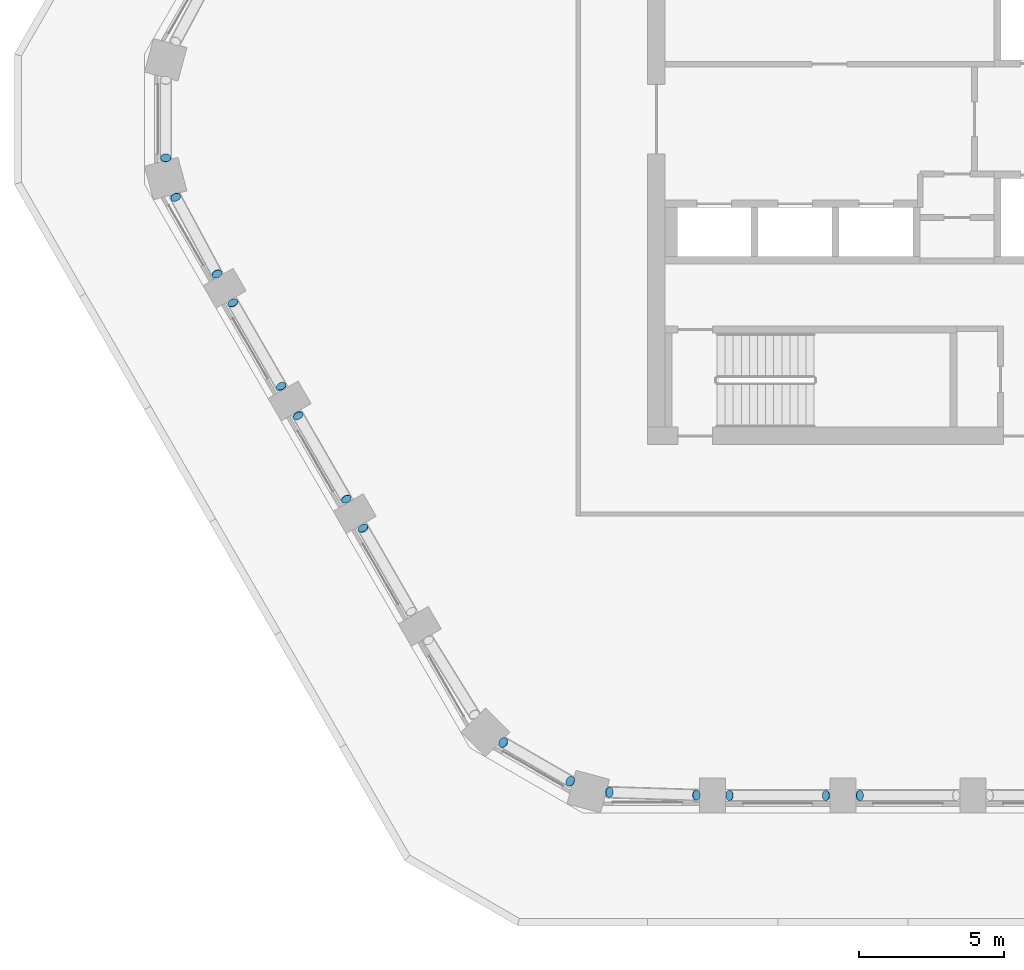
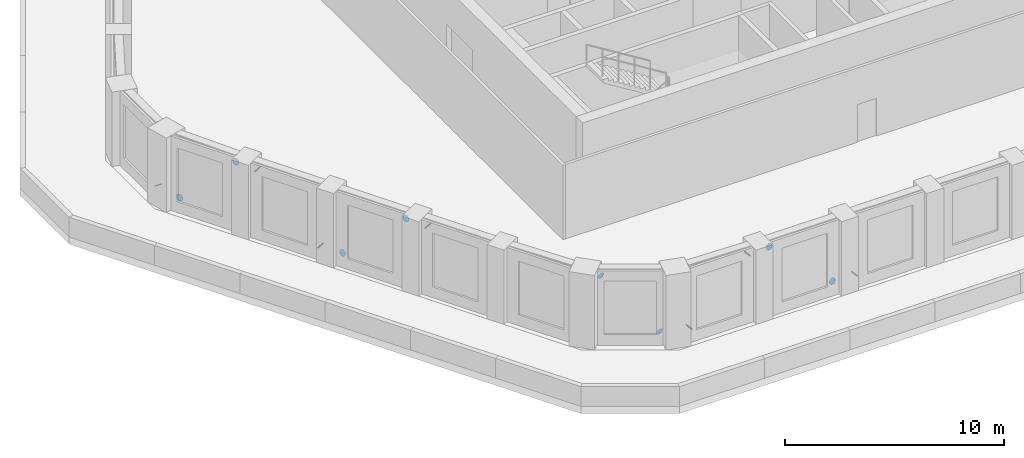
# One storey, part 9 of 14: 15 discrete accessories.
"""IFC4 building model written with IfcOpenShell, lengths in metres."""

import ifcopenshell
import ifcopenshell.guid

model = None  # the IFC model being written
_history = None  # IfcOwnerHistory: only IFC2X3 demands one
_inside = {}  # id of a spatial element -> (the spatial element, [elements in it])
_under = {}  # id of a project, library or spatial element -> (it, [spatial elements below it])
_declared = {}  # id of a project -> (the project, [libraries it declares])
_typed = {}  # id of a type object -> (the type object, [elements of that type])
_made_of = {}  # id of a material, layer set ... -> (it, [elements and type objects made of it])


def new_model(schema):
    """Start an empty IFC model of exactly this schema.

    Asked for "IFC4X3", IfcOpenShell would pick the latest addendum, in which some entities
    have other attributes; the version numbers below select the first issue.
    IFC2X3 requires an IfcOwnerHistory on every rooted entity: one is made here for all.
    """
    global model, _history
    if schema == "IFC4X3":
        model = ifcopenshell.file(schema_version=(4, 3, 0, 0))
    else:
        model = ifcopenshell.file(schema=schema)
    _inside.clear()
    _under.clear()
    _declared.clear()
    _typed.clear()
    _made_of.clear()
    _history = None
    if model.schema == "IFC2X3":
        org = make("IfcOrganization", Name="unknown")
        user = make(
            "IfcPersonAndOrganization",
            ThePerson=make("IfcPerson", FamilyName="unknown"),
            TheOrganization=org,
        )
        app = make(
            "IfcApplication",
            ApplicationDeveloper=org,
            Version="unknown",
            ApplicationFullName="unknown",
            ApplicationIdentifier="unknown",
        )
        _history = make(
            "IfcOwnerHistory",
            OwningUser=user,
            OwningApplication=app,
            ChangeAction="ADDED",
            CreationDate=0,
        )
    return model


def make(cls, **values):
    """One entity of the class cls with the attributes given. An attribute that is None is left unset."""
    return model.create_entity(
        cls, **{name: value for name, value in values.items() if value is not None}
    )


def rooted(cls, **values):
    """An entity with a GlobalId (a new one), such as an element, a storey or a relation."""
    return make(cls, GlobalId=ifcopenshell.guid.new(), OwnerHistory=_history, **values)


def si_unit(unit_type, name, prefix=None):
    """IfcSIUnit, for example si_unit("LENGTHUNIT", "METRE", prefix="MILLI")."""
    return make("IfcSIUnit", UnitType=unit_type, Prefix=prefix, Name=name)


def assignment(units):
    """IfcUnitAssignment: the units of a project."""
    return None if units is None else make("IfcUnitAssignment", Units=units)


def point(xyz):
    """IfcCartesianPoint."""
    return None if xyz is None else make("IfcCartesianPoint", Coordinates=xyz)


def direction(xyz):
    """IfcDirection."""
    return None if xyz is None else make("IfcDirection", DirectionRatios=xyz)


def frame(location, z_axis=None, x_axis=None):
    """IfcAxis2Placement3D, a coordinate frame: its origin and axes. An axis left out is left unset."""
    return make(
        "IfcAxis2Placement3D",
        Location=point(location),
        Axis=direction(z_axis),
        RefDirection=direction(x_axis),
    )


def frame_2d(location, x_axis=None):
    """IfcAxis2Placement2D, a coordinate frame in the plane: its origin and x axis."""
    return make(
        "IfcAxis2Placement2D", Location=point(location), RefDirection=direction(x_axis)
    )


def origin():
    """The frame at (0, 0, 0) with its axes left unset."""
    return frame((0.0, 0.0, 0.0))


def origin_2d():
    """The frame at (0, 0) in the plane with its x axis left unset."""
    return frame_2d((0.0, 0.0))


def place(relative_to, where):
    """IfcLocalPlacement: puts the frame where relative to a parent placement (None: the world)."""
    return make(
        "IfcLocalPlacement", PlacementRelTo=relative_to, RelativePlacement=where
    )


def context(
    kind, dimensions, precision=None, world=None, true_north=None, identifier=None
):
    """IfcGeometricRepresentationContext, for example the 3D "Model" context."""
    return make(
        "IfcGeometricRepresentationContext",
        ContextIdentifier=identifier,
        ContextType=kind,
        CoordinateSpaceDimension=dimensions,
        Precision=precision,
        WorldCoordinateSystem=world,
        TrueNorth=true_north,
    )


def subcontext(parent, identifier, kind, view, scale=None):
    """IfcGeometricRepresentationSubContext, for example "Body" below "Model"."""
    return make(
        "IfcGeometricRepresentationSubContext",
        ContextIdentifier=identifier,
        ContextType=kind,
        ParentContext=parent,
        TargetScale=scale,
        TargetView=view,
    )


def project(units=None, contexts=None):
    """IfcProject with its units and contexts."""
    return rooted(
        "IfcProject",
        Name="project",
        RepresentationContexts=contexts,
        UnitsInContext=assignment(units),
    )


def spatial(cls, under=None, at=None, **own):
    """A site, building, storey or space (cls), placed at a placement, below another one or the project."""
    s = rooted(cls, ObjectPlacement=at, **own)
    if under is not None:
        _under.setdefault(under.id(), (under, []))[1].append(s)
    return s


def profile(cls, at=None, kind="AREA", **sizes):
    """A parametric profile (cls). Its sizes go by their IFC names, for example OverallWidth=200.0."""
    return make(cls, ProfileType=kind, Position=at, **sizes)


def circle(**sizes):
    """IfcCircleProfileDef."""
    return profile("IfcCircleProfileDef", **sizes)


def extrude(swept, where, along, depth):
    """IfcExtrudedAreaSolid: the profile swept, set in the frame where, extruded along a direction by depth."""
    return make(
        "IfcExtrudedAreaSolid",
        SweptArea=swept,
        Position=where,
        ExtrudedDirection=direction(along),
        Depth=depth,
    )


def shape(context_of_items, identifier, shape_type, items):
    """IfcShapeRepresentation: the items that make up one representation, for example the "Body"."""
    return make(
        "IfcShapeRepresentation",
        ContextOfItems=context_of_items,
        RepresentationIdentifier=identifier,
        RepresentationType=shape_type,
        Items=items,
    )


def material(Name=None, Category=None):
    """IfcMaterial."""
    return make("IfcMaterial", Name=Name, Category=Category)


def material_profile(
    of_material, cross_section, Name=None, Category=None, Priority=None
):
    """IfcMaterialProfile: a cross section and its material."""
    return make(
        "IfcMaterialProfile",
        Name=Name,
        Material=of_material,
        Profile=cross_section,
        Priority=Priority,
        Category=Category,
    )


def profile_set(profiles, Name=None, composite=None):
    """IfcMaterialProfileSet."""
    return make(
        "IfcMaterialProfileSet",
        Name=Name,
        MaterialProfiles=profiles,
        CompositeProfile=composite,
    )


def made_of(thing, what):
    """Note that an element or type object is made of a material, layer set ...; save() writes the relation."""
    if what is not None:
        _made_of.setdefault(what.id(), (what, []))[1].append(thing)
    return thing


def type_object(cls, material=None, **own):
    """A type object (cls), such as IfcWallType, which elements share."""
    return made_of(rooted(cls, **own), material)


def element(
    cls,
    number,
    at=None,
    inside=None,
    cuts=None,
    type_object=None,
    material=None,
    context=None,
    identifier="Body",
    shape_type=None,
    held_by="IfcProductDefinitionShape",
    body=None,
    shapes=None,
    **own,
):
    """One element of the class cls, such as IfcWall. Its Tag is "e" and its number.

    at: its placement. inside: the storey or other place that contains it. cuts: it is an
    opening in that element (IfcRelVoidsElement). A single representation is given by context,
    identifier, shape_type and body (its items); several are given by shapes. held_by: the class
    of the entity that holds the representations. save() writes the other relations.
    """
    e = rooted(cls, Tag="e%d" % number, ObjectPlacement=at, **own)
    if body is not None:
        shapes = [shape(context, identifier, shape_type, body)]
    if shapes is not None:
        e.Representation = make(held_by, Representations=shapes)
    if inside is not None:
        _inside.setdefault(inside.id(), (inside, []))[1].append(e)
    if cuts is not None:
        rooted(
            "IfcRelVoidsElement", RelatingBuildingElement=cuts, RelatedOpeningElement=e
        )
    if type_object is not None:
        _typed.setdefault(type_object.id(), (type_object, []))[1].append(e)
    return made_of(e, material)


def aggregate(whole, parts):
    """IfcRelAggregates: a whole, such as a stair, and the parts it consists of."""
    return rooted("IfcRelAggregates", RelatingObject=whole, RelatedObjects=parts)


def save(model, path):
    """Write the relations noted so far, then the file.

    IfcRelAggregates (storeys below a building ...), IfcRelContainedInSpatialStructure (elements
    in a storey), IfcRelDefinesByType, IfcRelAssociatesMaterial and IfcRelDeclares: one each for
    every whole, place, type object, material and project.
    """
    for whole, parts in _under.values():
        aggregate(whole, parts)
    for where, things in _inside.values():
        rooted(
            "IfcRelContainedInSpatialStructure",
            RelatedElements=things,
            RelatingStructure=where,
        )
    for kind, things in _typed.values():
        rooted("IfcRelDefinesByType", RelatedObjects=things, RelatingType=kind)
    for what, things in _made_of.values():
        rooted("IfcRelAssociatesMaterial", RelatedObjects=things, RelatingMaterial=what)
    for by, libraries in _declared.values():
        rooted("IfcRelDeclares", RelatingContext=by, RelatedDefinitions=libraries)
    model.write(path)


model = new_model("IFC4")

# Units and contexts
model_context = context("Model", 3, precision=1e-05, world=origin(), true_north=direction((0.0, 1.0)))
body_context = subcontext(model_context, "Body", "Model", "MODEL_VIEW")
ifc_project = project(units=[si_unit("LENGTHUNIT", "METRE"), si_unit("AREAUNIT", "SQUARE_METRE"), si_unit("VOLUMEUNIT", "CUBIC_METRE"), si_unit("PLANEANGLEUNIT", "RADIAN"), si_unit("MASSUNIT", "GRAM", prefix="KILO")], contexts=[model_context])

# Site, building, storey
site_placement = place(None, origin())
site = spatial("IfcSite", under=ifc_project, at=site_placement, CompositionType="ELEMENT")
building_placement = place(site_placement, origin())
building = spatial("IfcBuilding", under=site, at=building_placement, Name="Dhurran Vertical Campus", CompositionType="ELEMENT")
storey_placement = place(building_placement, frame((0.0, 0.0, 179.39990234375)))
storey = spatial("IfcBuildingStorey", under=building, at=storey_placement, Name="L44 Plant", CompositionType="ELEMENT", Elevation=179.39990234375)

# Discrete accessories
ifc_material = material(Name="Steel S355J2", Category="steel")
ifc_material_profile = material_profile(ifc_material, circle(Radius=0.177734375, at=origin_2d()), Name="Tube end cap 356 x 20")
ifc_profile_set = profile_set([ifc_material_profile], Name="Steel S355J2")
discrete_accessory_type = type_object("IfcDiscreteAccessoryType", Name="Tube end cap 356 x 20", PredefinedType="USERDEFINED", material=ifc_profile_set)
discrete_accessory_1_placement = place(storey_placement, frame((-14.81689453125, -23.273681640625, 0.531005859375), z_axis=(-0.694605630899, 0.0243721274, -0.718977758299), x_axis=(-0.035066140133, -0.999384993792, 0.0)))
element("IfcDiscreteAccessory", 1, at=discrete_accessory_1_placement, inside=storey, type_object=discrete_accessory_type, Name="EC1 belt L44 d00 capA", ObjectType="END CAP", PredefinedType="USERDEFINED", context=body_context, shape_type="SweptSolid", body=[
    extrude(circle(Radius=0.177734375, at=origin_2d()), origin(), (0.0, 0.0, 1.0), 0.02001953125),
])
discrete_accessory_2_placement = place(storey_placement, frame((-11.8203125, -23.36767578125, 3.619384765625), z_axis=(0.700719636996, -0.02458665393, 0.713012963961), x_axis=(0.035066140133, 0.999384993792, 0.0)))
element("IfcDiscreteAccessory", 2, at=discrete_accessory_2_placement, inside=storey, type_object=discrete_accessory_type, Name="EC1 belt L44 d00 capB", ObjectType="END CAP", PredefinedType="USERDEFINED", context=body_context, shape_type="SweptSolid", body=[
    extrude(circle(Radius=0.177734375, at=origin_2d()), origin(), (0.0, 0.0, 1.0), 0.019775390625),
])
discrete_accessory_3_placement = place(storey_placement, frame((-7.3408203125, -23.385498046875, 0.53759765625), z_axis=(0.731055268243, 0.0, -0.68231825036), x_axis=(0.0, 1.0, 0.0)))
element("IfcDiscreteAccessory", 3, at=discrete_accessory_3_placement, inside=storey, type_object=discrete_accessory_type, Name="EC1 belt L44 d01 capA", ObjectType="END CAP", PredefinedType="USERDEFINED", context=body_context, shape_type="SweptSolid", body=[
    extrude(circle(Radius=0.177734375, at=origin_2d()), origin(), (0.0, 0.0, 1.0), 0.02001953125),
])
discrete_accessory_4_placement = place(storey_placement, frame((-10.6591796875, -23.385498046875, 3.61279296875), z_axis=(-0.737154140201, 0.0, 0.675724628517), x_axis=(0.0, -1.0, 0.0)))
element("IfcDiscreteAccessory", 4, at=discrete_accessory_4_placement, inside=storey, type_object=discrete_accessory_type, Name="EC1 belt L44 d01 capB", ObjectType="END CAP", PredefinedType="USERDEFINED", context=body_context, shape_type="SweptSolid", body=[
    extrude(circle(Radius=0.177734375, at=origin_2d()), origin(), (0.0, 0.0, 1.0), 0.019775390625),
])
for number, where, z_axis, x_axis, name in (
    (5, (-6.1591796875, -23.385498046875, 0.53759765625), (-0.731055268243, 0.0, -0.68231825036), (0.0, -1.0, 0.0), "EC1 belt L44 d02 capA"),
    (6, (-30.162353515625, -1.33251953125, 0.52294921875), (0.0, -0.649781149204, -0.760121344352), (1.0, 0.0, 0.0), "EC1 belt L44 d33 capA"),
    (7, (-29.814208984375, -2.7021484375, 0.531005859375), (-0.329611612661, 0.610391875299, -0.720262412853), (-0.879905397657, -0.475148914735, 0.0), "EC1 belt L44 d34 capA"),
    (8, (-28.397216796875, -5.344482421875, 3.619384765625), (0.343409674547, -0.613231561692, 0.711348611563), (0.87250601595, 0.488603368932, 0.0), "EC1 belt L44 d34 capB"),
    (9, (-26.1728515625, -9.232666015625, 0.53759765625), (0.365419152851, -0.633393198274, -0.682115751988), (0.866185586049, 0.49972245349, 0.0), "EC1 belt L44 d35 capA"),
    (10, (-27.83203125, -6.358642578125, 3.61279296875), (-0.37900822508, 0.635755732393, 0.672433947723), (-0.858946974209, -0.512064542317, 0.0), "EC1 belt L44 d35 capB"),
    (11, (-25.58203125, -10.255859375, 0.53759765625), (-0.375902579927, 0.630546263103, -0.679049821803), (-0.858946974209, -0.512064542317, 0.0), "EC1 belt L44 d36 capA"),
):
    element("IfcDiscreteAccessory", number, at=place(storey_placement, frame(where, z_axis=z_axis, x_axis=x_axis)), inside=storey, type_object=discrete_accessory_type, Name=name, ObjectType="END CAP", PredefinedType="USERDEFINED", context=body_context, shape_type="SweptSolid", body=[
        extrude(circle(Radius=0.177734375, at=origin_2d()), origin(), (0.0, 0.0, 1.0), 0.02001953125),
    ])
discrete_accessory_5_placement = place(storey_placement, frame((-23.9228515625, -13.129638671875, 3.61279296875), z_axis=(0.368465851911, -0.638674143313, 0.675520728504), x_axis=(0.866185586049, 0.49972245349, 0.0)))
element("IfcDiscreteAccessory", 12, at=discrete_accessory_5_placement, inside=storey, type_object=discrete_accessory_type, Name="EC1 belt L44 d36 capB", ObjectType="END CAP", PredefinedType="USERDEFINED", context=body_context, shape_type="SweptSolid", body=[
    extrude(circle(Radius=0.177734375, at=origin_2d()), origin(), (0.0, 0.0, 1.0), 0.019775390625),
])
for number, where, z_axis, x_axis, name in (
    (13, (-23.33203125, -14.15283203125, 3.61279296875), (-0.37900822508, 0.635755732393, 0.672433947723), (-0.858946974209, -0.512064542317, 0.0), "EC1 belt L44 d37 capB"),
    (14, (-16.17724609375, -22.890380859375, 0.52294921875), (0.562441339278, -0.330128612185, -0.758073109461), (0.506200568764, 0.862415783821, 0.0), "EC1 belt L44 d39 capA"),
    (15, (-18.485107421875, -21.557861328125, 3.627197265625), (-0.559438516664, 0.316204378984, 0.766187533692), (-0.492057256668, -0.87056283872, 0.0), "EC1 belt L44 d39 capB"),
):
    element("IfcDiscreteAccessory", number, at=place(storey_placement, frame(where, z_axis=z_axis, x_axis=x_axis)), inside=storey, type_object=discrete_accessory_type, Name=name, ObjectType="END CAP", PredefinedType="USERDEFINED", context=body_context, shape_type="SweptSolid", body=[
        extrude(circle(Radius=0.177734375, at=origin_2d()), origin(), (0.0, 0.0, 1.0), 0.02001953125),
    ])

save(model, "model.ifc")
